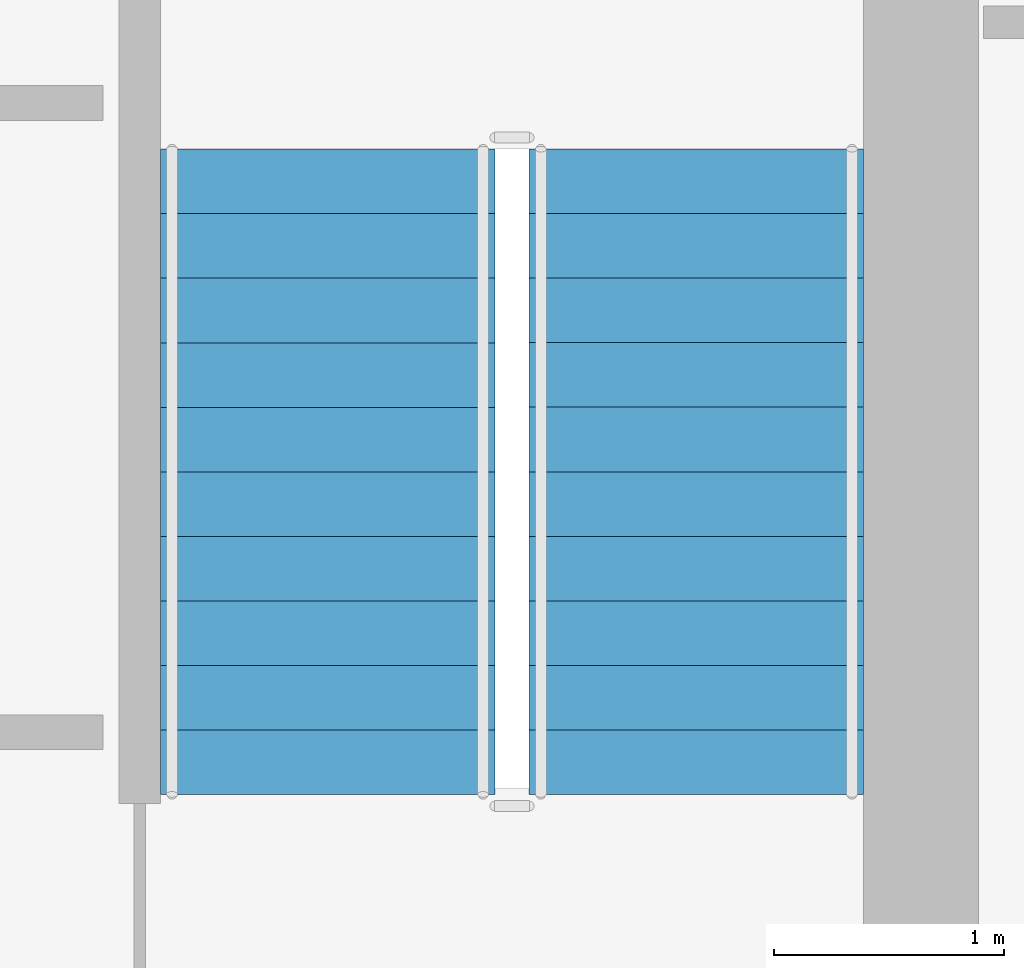
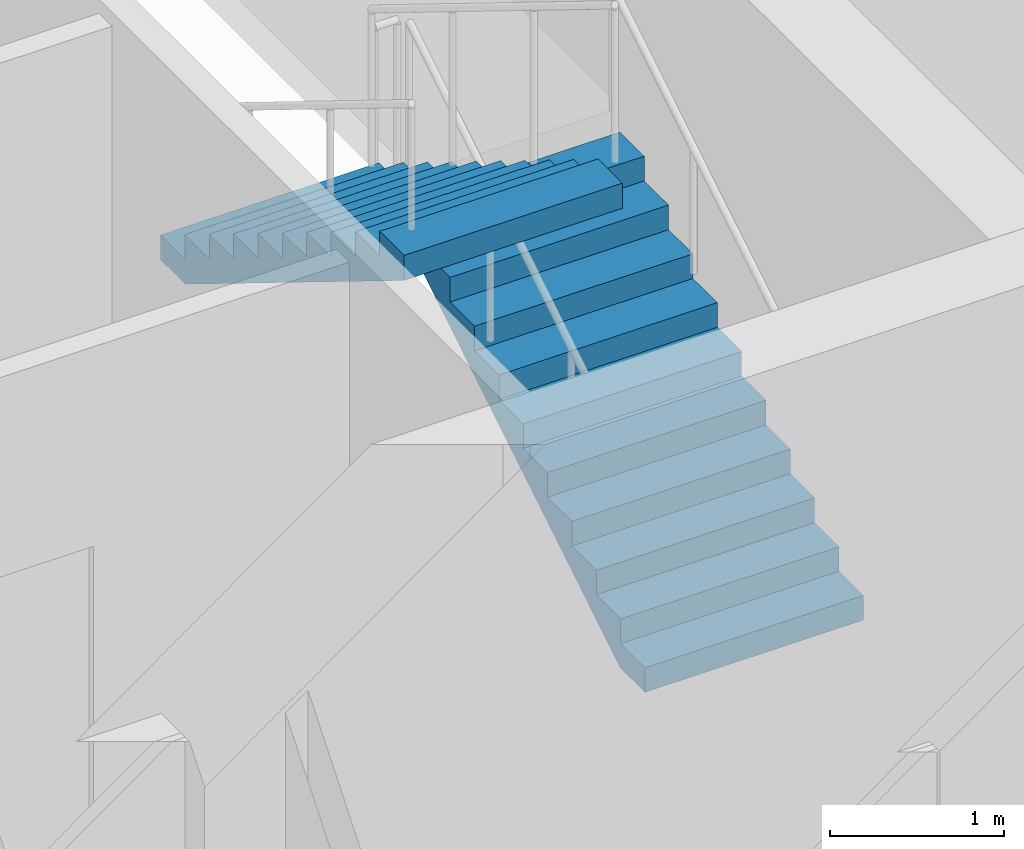
# One storey, part 33 of 36: 2 stair flights, 1 element without a shape of its own.
"""IFC4 building model written with IfcOpenShell, lengths in metres."""

from ifc_helpers import new_model, si_unit, direction, frame, origin, place, context, subcontext, project, spatial, polyline, outline, extrude, material, type_object, element, aggregate, save


model = new_model("IFC4")

# Units and contexts
model_context = context("Model", 3, precision=1e-05, world=origin(), true_north=direction((0.0, 1.0)))
body_context = subcontext(model_context, "Body", "Model", "MODEL_VIEW")
ifc_project = project(units=[si_unit("LENGTHUNIT", "METRE"), si_unit("AREAUNIT", "SQUARE_METRE"), si_unit("VOLUMEUNIT", "CUBIC_METRE"), si_unit("PLANEANGLEUNIT", "RADIAN"), si_unit("MASSUNIT", "GRAM", prefix="KILO")], contexts=[model_context])

# Site, building, storey
site_placement = place(None, origin())
site = spatial("IfcSite", under=ifc_project, at=site_placement, CompositionType="ELEMENT")
building_placement = place(site_placement, origin())
building = spatial("IfcBuilding", under=site, at=building_placement, Name="Saevonmaru Cultural Tower", CompositionType="ELEMENT")
storey_placement = place(building_placement, frame((0.0, 0.0, 186.60009765625)))
storey = spatial("IfcBuildingStorey", under=building, at=storey_placement, Name="L42", CompositionType="ELEMENT", Elevation=186.60009765625)

# Stair, stair flights
ifc_material_1 = material(Name="Concrete C40/50", Category="concrete")
stair_type = type_object("IfcStairType", Name="STR-DOGLEG-RC", PredefinedType="HALF_TURN_STAIR", material=ifc_material_1)
stair_placement = place(storey_placement, origin())
stair = element("IfcStair", 1, at=stair_placement, inside=storey, type_object=stair_type, Name="L42 Protected exit stair ST-2", PredefinedType="HALF_TURN_STAIR")
ifc_material_2 = material(Name="Precast concrete C40/50", Category="concrete")
stair_flight_type = type_object("IfcStairFlightType", Name="STF-PRECAST-180", PredefinedType="STRAIGHT", material=ifc_material_2)
stair_flight_1_placement = place(storey_placement, frame((45.074951171875, 44.85009765625, 0.0), z_axis=(0.0, 0.0, 1.0), x_axis=(0.0, 1.0, 0.0)))
stair_flight_1 = element("IfcStairFlight", 2, at=stair_flight_1_placement, type_object=stair_flight_type, Name="ST-2-L42 flight 1", NumberOfRisers=11, NumberOfTreads=10, PredefinedType="STRAIGHT", RiserHeight=0.172727273, TreadLength=0.28, context=body_context, shape_type="SweptSolid", body=[
    extrude(outline(polyline([(0.0, 0.0), (0.0, 0.172607421875), (0.280029296875, 0.172607421875), (0.280029296875, 0.345458984375), (0.56005859375, 0.345458984375), (0.56005859375, 0.51806640625), (0.840087890625, 0.51806640625), (0.840087890625, 0.69091796875), (1.1201171875, 0.69091796875), (1.1201171875, 0.863525390625), (1.39990234375, 0.863525390625), (1.39990234375, 1.036376953125), (1.679931640625, 1.036376953125), (1.679931640625, 1.208984375), (1.9599609375, 1.208984375), (1.9599609375, 1.3818359375), (2.239990234375, 1.3818359375), (2.239990234375, 1.554443359375), (2.52001953125, 1.554443359375), (2.52001953125, 1.727294921875), (2.800048828125, 1.727294921875), (2.800048828125, 1.89990234375), (2.800048828125, 1.551025390625), (0.285400390625, 0.0), (0.0, 0.0)])), frame((0.0, 0.72509765625, 0.0), z_axis=(0.0, -1.0, 0.0), x_axis=(1.0, 0.0, 0.0)), (0.0, 0.0, 1.0), 1.449951171875),
])
stair_flight_2_placement = place(storey_placement, frame((43.47509765625, 47.64990234375, 1.89990234375), z_axis=(0.0, 0.0, 1.0), x_axis=(0.0, -1.0, 0.0)))
stair_flight_2 = element("IfcStairFlight", 3, at=stair_flight_2_placement, type_object=stair_flight_type, Name="ST-2-L42 flight 2", NumberOfRisers=11, NumberOfTreads=10, PredefinedType="STRAIGHT", RiserHeight=0.172727273, TreadLength=0.28, context=body_context, shape_type="SweptSolid", body=[
    extrude(outline(polyline([(0.0, 0.0), (0.0, 0.172607421875), (0.280029296875, 0.172607421875), (0.280029296875, 0.345458984375), (0.56005859375, 0.345458984375), (0.56005859375, 0.51806640625), (0.840087890625, 0.51806640625), (0.840087890625, 0.69091796875), (1.1201171875, 0.69091796875), (1.1201171875, 0.863525390625), (1.39990234375, 0.863525390625), (1.39990234375, 1.036376953125), (1.679931640625, 1.036376953125), (1.679931640625, 1.208984375), (1.9599609375, 1.208984375), (1.9599609375, 1.3818359375), (2.239990234375, 1.3818359375), (2.239990234375, 1.554443359375), (2.52001953125, 1.554443359375), (2.52001953125, 1.727294921875), (2.800048828125, 1.727294921875), (2.800048828125, 1.89990234375), (2.800048828125, 1.551025390625), (0.285400390625, 0.0), (0.0, 0.0)])), frame((0.0, 0.72509765625, 0.0), z_axis=(0.0, -1.0, 0.0), x_axis=(1.0, 0.0, 0.0)), (0.0, 0.0, 1.0), 1.449951171875),
])
aggregate(stair, [stair_flight_1, stair_flight_2])

save(model, "model.ifc")
